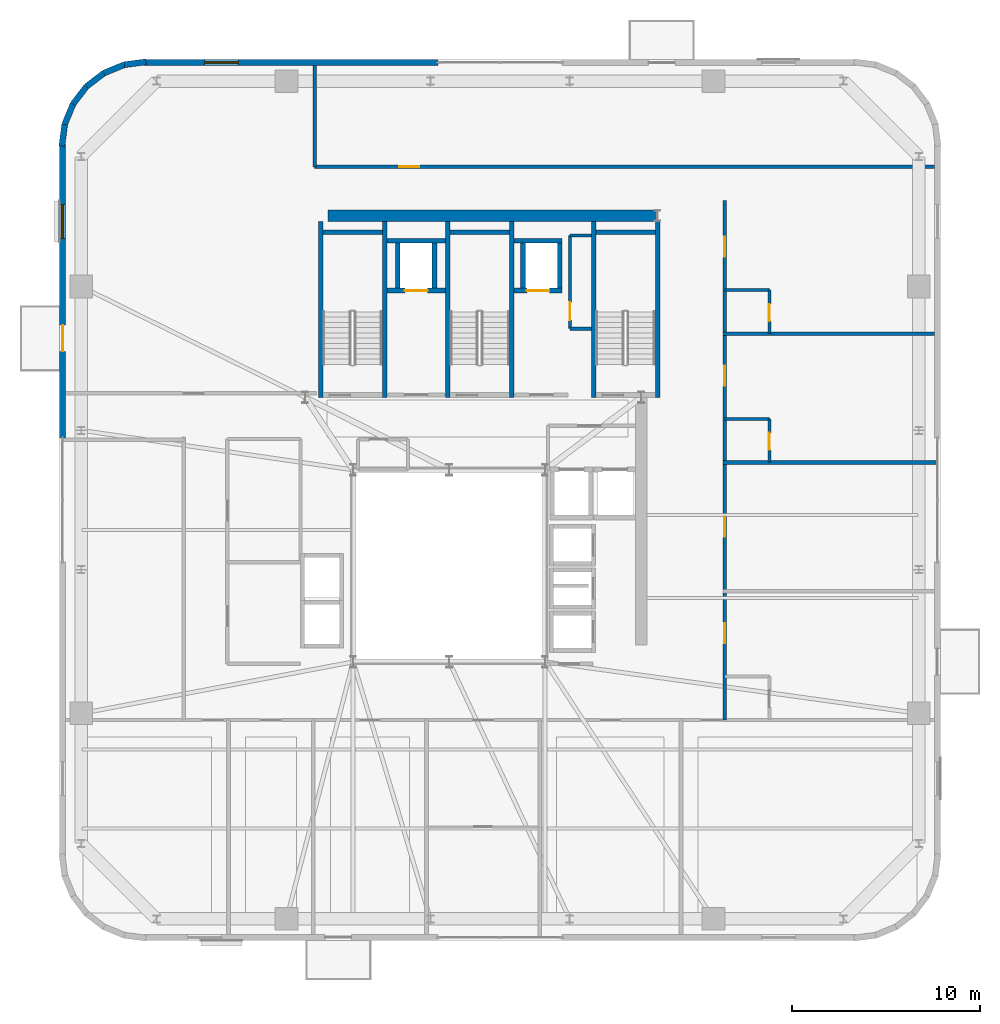
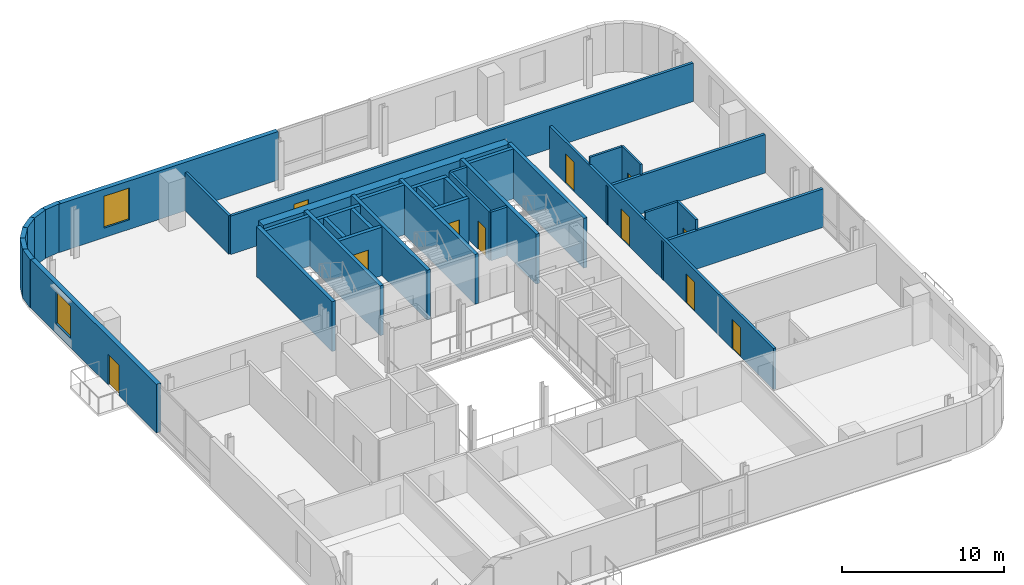
# One storey, part 10 of 15: 38 walls, 11 doors, 2 windows, 13 openings.
"""IFC4 building model written with IfcOpenShell, lengths in metres."""

import ifcopenshell
import ifcopenshell.guid

model = None  # the IFC model being written
_history = None  # IfcOwnerHistory: only IFC2X3 demands one
_inside = {}  # id of a spatial element -> (the spatial element, [elements in it])
_under = {}  # id of a project, library or spatial element -> (it, [spatial elements below it])
_declared = {}  # id of a project -> (the project, [libraries it declares])
_typed = {}  # id of a type object -> (the type object, [elements of that type])
_made_of = {}  # id of a material, layer set ... -> (it, [elements and type objects made of it])


def new_model(schema):
    """Start an empty IFC model of exactly this schema.

    Asked for "IFC4X3", IfcOpenShell would pick the latest addendum, in which some entities
    have other attributes; the version numbers below select the first issue.
    IFC2X3 requires an IfcOwnerHistory on every rooted entity: one is made here for all.
    """
    global model, _history
    if schema == "IFC4X3":
        model = ifcopenshell.file(schema_version=(4, 3, 0, 0))
    else:
        model = ifcopenshell.file(schema=schema)
    _inside.clear()
    _under.clear()
    _declared.clear()
    _typed.clear()
    _made_of.clear()
    _history = None
    if model.schema == "IFC2X3":
        org = make("IfcOrganization", Name="unknown")
        user = make(
            "IfcPersonAndOrganization",
            ThePerson=make("IfcPerson", FamilyName="unknown"),
            TheOrganization=org,
        )
        app = make(
            "IfcApplication",
            ApplicationDeveloper=org,
            Version="unknown",
            ApplicationFullName="unknown",
            ApplicationIdentifier="unknown",
        )
        _history = make(
            "IfcOwnerHistory",
            OwningUser=user,
            OwningApplication=app,
            ChangeAction="ADDED",
            CreationDate=0,
        )
    return model


def make(cls, **values):
    """One entity of the class cls with the attributes given. An attribute that is None is left unset."""
    return model.create_entity(
        cls, **{name: value for name, value in values.items() if value is not None}
    )


def rooted(cls, **values):
    """An entity with a GlobalId (a new one), such as an element, a storey or a relation."""
    return make(cls, GlobalId=ifcopenshell.guid.new(), OwnerHistory=_history, **values)


def si_unit(unit_type, name, prefix=None):
    """IfcSIUnit, for example si_unit("LENGTHUNIT", "METRE", prefix="MILLI")."""
    return make("IfcSIUnit", UnitType=unit_type, Prefix=prefix, Name=name)


def assignment(units):
    """IfcUnitAssignment: the units of a project."""
    return None if units is None else make("IfcUnitAssignment", Units=units)


def point(xyz):
    """IfcCartesianPoint."""
    return None if xyz is None else make("IfcCartesianPoint", Coordinates=xyz)


def direction(xyz):
    """IfcDirection."""
    return None if xyz is None else make("IfcDirection", DirectionRatios=xyz)


def frame(location, z_axis=None, x_axis=None):
    """IfcAxis2Placement3D, a coordinate frame: its origin and axes. An axis left out is left unset."""
    return make(
        "IfcAxis2Placement3D",
        Location=point(location),
        Axis=direction(z_axis),
        RefDirection=direction(x_axis),
    )


def frame_2d(location, x_axis=None):
    """IfcAxis2Placement2D, a coordinate frame in the plane: its origin and x axis."""
    return make(
        "IfcAxis2Placement2D", Location=point(location), RefDirection=direction(x_axis)
    )


def origin():
    """The frame at (0, 0, 0) with its axes left unset."""
    return frame((0.0, 0.0, 0.0))


def place(relative_to, where):
    """IfcLocalPlacement: puts the frame where relative to a parent placement (None: the world)."""
    return make(
        "IfcLocalPlacement", PlacementRelTo=relative_to, RelativePlacement=where
    )


def context(
    kind, dimensions, precision=None, world=None, true_north=None, identifier=None
):
    """IfcGeometricRepresentationContext, for example the 3D "Model" context."""
    return make(
        "IfcGeometricRepresentationContext",
        ContextIdentifier=identifier,
        ContextType=kind,
        CoordinateSpaceDimension=dimensions,
        Precision=precision,
        WorldCoordinateSystem=world,
        TrueNorth=true_north,
    )


def subcontext(parent, identifier, kind, view, scale=None):
    """IfcGeometricRepresentationSubContext, for example "Body" below "Model"."""
    return make(
        "IfcGeometricRepresentationSubContext",
        ContextIdentifier=identifier,
        ContextType=kind,
        ParentContext=parent,
        TargetScale=scale,
        TargetView=view,
    )


def project(units=None, contexts=None):
    """IfcProject with its units and contexts."""
    return rooted(
        "IfcProject",
        Name="project",
        RepresentationContexts=contexts,
        UnitsInContext=assignment(units),
    )


def spatial(cls, under=None, at=None, **own):
    """A site, building, storey or space (cls), placed at a placement, below another one or the project."""
    s = rooted(cls, ObjectPlacement=at, **own)
    if under is not None:
        _under.setdefault(under.id(), (under, []))[1].append(s)
    return s


def profile(cls, at=None, kind="AREA", **sizes):
    """A parametric profile (cls). Its sizes go by their IFC names, for example OverallWidth=200.0."""
    return make(cls, ProfileType=kind, Position=at, **sizes)


def rectangle(**sizes):
    """IfcRectangleProfileDef."""
    return profile("IfcRectangleProfileDef", **sizes)


def extrude(swept, where, along, depth):
    """IfcExtrudedAreaSolid: the profile swept, set in the frame where, extruded along a direction by depth."""
    return make(
        "IfcExtrudedAreaSolid",
        SweptArea=swept,
        Position=where,
        ExtrudedDirection=direction(along),
        Depth=depth,
    )


def shape(context_of_items, identifier, shape_type, items):
    """IfcShapeRepresentation: the items that make up one representation, for example the "Body"."""
    return make(
        "IfcShapeRepresentation",
        ContextOfItems=context_of_items,
        RepresentationIdentifier=identifier,
        RepresentationType=shape_type,
        Items=items,
    )


def source(mapping_origin, context_of_items, identifier, shape_type, items):
    """IfcRepresentationMap: a shape defined once, which mapped items show again and again."""
    return make(
        "IfcRepresentationMap",
        MappingOrigin=mapping_origin,
        MappedRepresentation=shape(context_of_items, identifier, shape_type, items),
    )


def transform(
    local_origin,
    x_axis=None,
    y_axis=None,
    z_axis=None,
    scale=None,
    scale2=None,
    scale3=None,
    uniform=True,
):
    """IfcCartesianTransformationOperator3D, or its non-uniform kind. x_axis, y_axis, z_axis: its Axis1, 2, 3."""
    if uniform:
        return make(
            "IfcCartesianTransformationOperator3D",
            Axis1=direction(x_axis),
            Axis2=direction(y_axis),
            LocalOrigin=point(local_origin),
            Scale=scale,
            Axis3=direction(z_axis),
        )
    return make(
        "IfcCartesianTransformationOperator3DnonUniform",
        Axis1=direction(x_axis),
        Axis2=direction(y_axis),
        LocalOrigin=point(local_origin),
        Scale=scale,
        Axis3=direction(z_axis),
        Scale2=scale2,
        Scale3=scale3,
    )


def mapped(mapping_source, mapping_target):
    """IfcMappedItem: shows the shape of a source again, moved by a transform."""
    return make(
        "IfcMappedItem", MappingSource=mapping_source, MappingTarget=mapping_target
    )


def material(Name=None, Category=None):
    """IfcMaterial."""
    return make("IfcMaterial", Name=Name, Category=Category)


def layer(
    of_material, thickness, ventilated=None, Name=None, Category=None, Priority=None
):
    """IfcMaterialLayer: one layer of a wall or slab, of a material (None: an air gap)."""
    return make(
        "IfcMaterialLayer",
        Material=of_material,
        LayerThickness=thickness,
        IsVentilated=ventilated,
        Name=Name,
        Category=Category,
        Priority=Priority,
    )


def layer_set(layers, Name=None):
    """IfcMaterialLayerSet."""
    return make("IfcMaterialLayerSet", MaterialLayers=layers, LayerSetName=Name)


def made_of(thing, what):
    """Note that an element or type object is made of a material, layer set ...; save() writes the relation."""
    if what is not None:
        _made_of.setdefault(what.id(), (what, []))[1].append(thing)
    return thing


def type_object(cls, material=None, **own):
    """A type object (cls), such as IfcWallType, which elements share."""
    return made_of(rooted(cls, **own), material)


def element(
    cls,
    number,
    at=None,
    inside=None,
    cuts=None,
    type_object=None,
    material=None,
    context=None,
    identifier="Body",
    shape_type=None,
    held_by="IfcProductDefinitionShape",
    body=None,
    shapes=None,
    **own,
):
    """One element of the class cls, such as IfcWall. Its Tag is "e" and its number.

    at: its placement. inside: the storey or other place that contains it. cuts: it is an
    opening in that element (IfcRelVoidsElement). A single representation is given by context,
    identifier, shape_type and body (its items); several are given by shapes. held_by: the class
    of the entity that holds the representations. save() writes the other relations.
    """
    e = rooted(cls, Tag="e%d" % number, ObjectPlacement=at, **own)
    if body is not None:
        shapes = [shape(context, identifier, shape_type, body)]
    if shapes is not None:
        e.Representation = make(held_by, Representations=shapes)
    if inside is not None:
        _inside.setdefault(inside.id(), (inside, []))[1].append(e)
    if cuts is not None:
        rooted(
            "IfcRelVoidsElement", RelatingBuildingElement=cuts, RelatedOpeningElement=e
        )
    if type_object is not None:
        _typed.setdefault(type_object.id(), (type_object, []))[1].append(e)
    return made_of(e, material)


def fill(opening, filler):
    """IfcRelFillsElement: the door or window that sits in an opening."""
    return rooted(
        "IfcRelFillsElement",
        RelatingOpeningElement=opening,
        RelatedBuildingElement=filler,
    )


def aggregate(whole, parts):
    """IfcRelAggregates: a whole, such as a stair, and the parts it consists of."""
    return rooted("IfcRelAggregates", RelatingObject=whole, RelatedObjects=parts)


def save(model, path):
    """Write the relations noted so far, then the file.

    IfcRelAggregates (storeys below a building ...), IfcRelContainedInSpatialStructure (elements
    in a storey), IfcRelDefinesByType, IfcRelAssociatesMaterial and IfcRelDeclares: one each for
    every whole, place, type object, material and project.
    """
    for whole, parts in _under.values():
        aggregate(whole, parts)
    for where, things in _inside.values():
        rooted(
            "IfcRelContainedInSpatialStructure",
            RelatedElements=things,
            RelatingStructure=where,
        )
    for kind, things in _typed.values():
        rooted("IfcRelDefinesByType", RelatedObjects=things, RelatingType=kind)
    for what, things in _made_of.values():
        rooted("IfcRelAssociatesMaterial", RelatedObjects=things, RelatingMaterial=what)
    for by, libraries in _declared.values():
        rooted("IfcRelDeclares", RelatingContext=by, RelatedDefinitions=libraries)
    model.write(path)


model = new_model("IFC4")

# Units and contexts
model_context = context("Model", 3, precision=1e-05, world=origin(), true_north=direction((0.0, 1.0)))
body_context = subcontext(model_context, "Body", "Model", "MODEL_VIEW")
ifc_project = project(units=[si_unit("LENGTHUNIT", "METRE"), si_unit("AREAUNIT", "SQUARE_METRE"), si_unit("VOLUMEUNIT", "CUBIC_METRE"), si_unit("PLANEANGLEUNIT", "RADIAN"), si_unit("MASSUNIT", "GRAM", prefix="KILO")], contexts=[model_context])

# Site, building, storey
site_placement = place(None, origin())
site = spatial("IfcSite", under=ifc_project, at=site_placement, CompositionType="ELEMENT")
building_placement = place(site_placement, origin())
building = spatial("IfcBuilding", under=site, at=building_placement, Name="Vardaveli Station Tower", CompositionType="ELEMENT")
storey_placement = place(building_placement, frame((0.0, 0.0, 250.60009765625)))
storey = spatial("IfcBuildingStorey", under=building, at=storey_placement, Name="L64", CompositionType="ELEMENT", Elevation=250.60009765625)

# Wall
ifc_material_1 = material(Name="Concrete C50/60", Category="concrete")
ifc_layer_1 = layer(ifc_material_1, 0.60009765625, Name="Concrete C50/60")
ifc_layer_set_1 = layer_set([ifc_layer_1], Name="Concrete C50/60")
wall_type_1 = type_object("IfcWallType", Name="WAL-CORE-600", PredefinedType="SHEAR", material=ifc_layer_set_1)
shared_shape_1 = source(origin(), body_context, "Body", "SweptSolid", [
    extrude(rectangle(XDim=17.52001953125, YDim=0.60009765625, at=frame_2d((8.760009765625, 0.0))), origin(), (0.0, 0.0, 1.0), 3.64990234375),
])
wall_1_placement = place(storey_placement, frame((29.85009765625, 40.300048828125, 0.0), z_axis=(0.0, 0.0, 1.0), x_axis=(1.0, 0.0, 0.0)))
element("IfcWall", 1, at=wall_1_placement, inside=storey, type_object=wall_type_1, Name="SW-L64-NORTH", PredefinedType="SHEAR", context=body_context, shape_type="MappedRepresentation", body=[
    mapped(shared_shape_1, transform((0.0, 0.0, 0.0), scale=1.0)),
])

# Wall, opening, window
ifc_material_2 = material(Name="Precast concrete C45/55", Category="concrete")
ifc_layer_2 = layer(ifc_material_2, 0.320068359375, Name="Precast concrete C45/55")
ifc_layer_set_2 = layer_set([ifc_layer_2], Name="Precast concrete C45/55")
wall_type_2 = type_object("IfcWallType", Name="WAL-EXT-STONE-320", PredefinedType="SOLIDWALL", material=ifc_layer_set_2)
shared_shape_2 = source(origin(), body_context, "Body", "SweptSolid", [
    extrude(rectangle(XDim=15.599853515625, YDim=0.320068359375, at=frame_2d((7.7998046875, 0.0))), origin(), (0.0, 0.0, 1.0), 3.64990234375),
])
wall_2_placement = place(storey_placement, frame((35.699951171875, 48.43994140625, 0.0), z_axis=(0.0, 0.0, 1.0), x_axis=(-1.0, 0.0, 0.0)))
wall_2 = element("IfcWall", 2, at=wall_2_placement, inside=storey, type_object=wall_type_2, Name="EW-L64-N2", PredefinedType="SOLIDWALL", context=body_context, shape_type="MappedRepresentation", body=[
    mapped(shared_shape_2, transform((0.0, 0.0, 0.0), scale=1.0)),
])
shared_shape_3 = source(origin(), body_context, "Body", "SweptSolid", [
    extrude(rectangle(XDim=1.800048828125, YDim=2.39990234375, at=frame_2d((0.89990234375, 1.199951171875))), frame((0.0, 0.169921875, 0.0), z_axis=(0.0, -1.0, 0.0), x_axis=(1.0, 0.0, 0.0)), (0.0, 0.0, 1.0), 0.340087890625),
])
opening_1_placement = place(wall_2_placement, frame((10.594970703125, 0.0, 0.719970703125)))
opening_1 = element("IfcOpeningElement", 3, at=opening_1_placement, cuts=wall_2, Name="Opening W-05", PredefinedType="OPENING", context=body_context, shape_type="MappedRepresentation", body=[
    mapped(shared_shape_3, transform((0.0, 0.0, 0.0), scale=1.0)),
])
ifc_material_3 = material(Name="Low-E solar-control glass", Category="glass")
window_type = type_object("IfcWindowType", Name="WIN-HIGH-1800x2400", PartitioningType="SINGLE_PANEL", PredefinedType="WINDOW", material=ifc_material_3)
shared_shape_4 = source(origin(), body_context, "Body", "SweptSolid", [
    extrude(rectangle(XDim=1.800048828125, YDim=2.39990234375, at=frame_2d((0.89990234375, 1.199951171875))), frame((0.0, 0.030029296875, 0.0), z_axis=(0.0, -1.0, 0.0), x_axis=(1.0, 0.0, 0.0)), (0.0, 0.0, 1.0), 0.06005859375),
])
window_1_placement = place(opening_1_placement, origin())
window_1 = element("IfcWindow", 4, at=window_1_placement, inside=storey, type_object=window_type, Name="WN-L64-N2", OverallHeight=2.39990234375, OverallWidth=1.800048828125, PartitioningType="SINGLE_PANEL", PredefinedType="WINDOW", context=body_context, shape_type="MappedRepresentation", body=[
    mapped(shared_shape_4, transform((0.0, 0.0, 0.0), scale=1.0)),
])
fill(opening_1, window_1)

# Wall, openings, door, window
shared_shape_5 = source(origin(), body_context, "Body", "SweptSolid", [
    extrude(rectangle(XDim=15.60009765625, YDim=0.320068359375, at=frame_2d((7.800048828125, 0.0))), origin(), (0.0, 0.0, 1.0), 3.64990234375),
])
wall_3_placement = place(storey_placement, frame((15.760009765625, 44.10009765625, 0.0), z_axis=(0.0, 0.0, 1.0), x_axis=(0.0, -1.0, 0.0)))
wall_3 = element("IfcWall", 5, at=wall_3_placement, inside=storey, type_object=wall_type_2, Name="EW-L64-W1", PredefinedType="SOLIDWALL", context=body_context, shape_type="MappedRepresentation", body=[
    mapped(shared_shape_5, transform((0.0, 0.0, 0.0), scale=1.0)),
])
shared_shape_6 = source(origin(), body_context, "Body", "SweptSolid", [
    extrude(rectangle(XDim=1.39990234375, YDim=2.300048828125, at=frame_2d((0.699951171875, 1.14990234375))), frame((0.0, 0.169921875, 0.0), z_axis=(0.0, -1.0, 0.0), x_axis=(1.0, 0.0, 0.0)), (0.0, 0.0, 1.0), 0.340087890625),
])
opening_2_placement = place(wall_3_placement, frame((9.6103515625, 0.0, 0.0)))
opening_2 = element("IfcOpeningElement", 6, at=opening_2_placement, cuts=wall_3, Name="Opening D-09", PredefinedType="OPENING", context=body_context, shape_type="MappedRepresentation", body=[
    mapped(shared_shape_6, transform((0.0, 0.0, 0.0), scale=1.0)),
])
opening_3_placement = place(wall_3_placement, frame((3.205078125, 0.0, 0.719970703125)))
opening_3 = element("IfcOpeningElement", 7, at=opening_3_placement, cuts=wall_3, Name="Opening W-05", PredefinedType="OPENING", context=body_context, shape_type="MappedRepresentation", body=[
    mapped(shared_shape_3, transform((0.0, 0.0, 0.0), scale=1.0)),
])
ifc_material_4 = material(Name="Thermally broken aluminium glass", Category="aluminium")
door_type_1 = type_object("IfcDoorType", Name="DR-LOG-1400x2300", OperationType="DOUBLE_DOOR_SLIDING", PredefinedType="DOOR", material=ifc_material_4)
shared_shape_7 = source(origin(), body_context, "Body", "SweptSolid", [
    extrude(rectangle(XDim=1.39990234375, YDim=2.300048828125, at=frame_2d((0.699951171875, 1.14990234375))), frame((0.0, 0.02490234375, 0.0), z_axis=(0.0, -1.0, 0.0), x_axis=(1.0, 0.0, 0.0)), (0.0, 0.0, 1.0), 0.050048828125),
])
door_1_placement = place(opening_2_placement, frame((1.39990234375, 0.0, 0.0), z_axis=(0.0, 0.0, 1.0), x_axis=(-1.0, 0.0, 0.0)))
door_1 = element("IfcDoor", 8, at=door_1_placement, inside=storey, type_object=door_type_1, Name="DLG-L64-W", OperationType="DOUBLE_DOOR_SLIDING", OverallHeight=2.300048828125, OverallWidth=1.39990234375, PredefinedType="DOOR", context=body_context, shape_type="MappedRepresentation", body=[
    mapped(shared_shape_7, transform((0.0, 0.0, 0.0), scale=1.0)),
])
fill(opening_2, door_1)
window_2_placement = place(opening_3_placement, origin())
window_2 = element("IfcWindow", 9, at=window_2_placement, inside=storey, type_object=window_type, Name="WN-L64-W1", OverallHeight=2.39990234375, OverallWidth=1.800048828125, PartitioningType="SINGLE_PANEL", PredefinedType="WINDOW", context=body_context, shape_type="MappedRepresentation", body=[
    mapped(shared_shape_4, transform((0.0, 0.0, 0.0), scale=1.0)),
])
fill(opening_3, window_2)

# Walls
shared_shape_8 = source(origin(), body_context, "Body", "SweptSolid", [
    extrude(rectangle(XDim=1.1689453125, YDim=0.320068359375, at=frame_2d((0.58447265625, 0.0))), origin(), (0.0, 0.0, 1.0), 3.64990234375),
])
wall_4_placement = place(storey_placement, frame((17.03125, 47.1689453125, 0.0), z_axis=(0.0, 0.0, 1.0), x_axis=(-0.608387696831, -0.793639975269, 0.0)))
element("IfcWall", 10, at=wall_4_placement, inside=storey, type_object=wall_type_2, Name="EW-L64-CR4-4", PredefinedType="SOLIDWALL", context=body_context, shape_type="MappedRepresentation", body=[
    mapped(shared_shape_8, transform((0.0, 0.0, 0.0), scale=1.0)),
])
shared_shape_9 = source(origin(), body_context, "Body", "SweptSolid", [
    extrude(rectangle(XDim=1.168701171875, YDim=0.320068359375, at=frame_2d((0.58447265625, 0.0))), origin(), (0.0, 0.0, 1.0), 3.64990234375),
])
wall_5_placement = place(storey_placement, frame((17.958740234375, 47.8798828125, 0.0), z_axis=(0.0, 0.0, 1.0), x_axis=(-0.793663520347, -0.608356981114, 0.0)))
element("IfcWall", 11, at=wall_5_placement, inside=storey, type_object=wall_type_2, Name="EW-L64-CR4-3", PredefinedType="SOLIDWALL", context=body_context, shape_type="MappedRepresentation", body=[
    mapped(shared_shape_9, transform((0.0, 0.0, 0.0), scale=1.0)),
])
shared_shape_10 = source(origin(), body_context, "Body", "SweptSolid", [
    extrude(rectangle(XDim=1.17041015625, YDim=0.320068359375, at=frame_2d((0.585205078125, 0.0))), origin(), (0.0, 0.0, 1.0), 3.64990234375),
])
for number, where, z_axis, x_axis, name in (
    (12, (20.200439453125, 48.4755859375, 0.0), (0.0, 0.0, 1.0), (-0.991735963317, -0.128295670475, 0.0), "EW-L64-CR4-1"),
    (13, (15.87451171875, 45.16015625, 0.0), (0.0, 0.0, 1.0), (-0.128295670475, -0.991735963317, 0.0), "EW-L64-CR4-6"),
):
    element("IfcWall", number, at=place(storey_placement, frame(where, z_axis=z_axis, x_axis=x_axis)), inside=storey, type_object=wall_type_2, Name=name, PredefinedType="SOLIDWALL", context=body_context, shape_type="MappedRepresentation", body=[
        mapped(shared_shape_10, transform((0.0, 0.0, 0.0), scale=1.0)),
    ])
shared_shape_11 = source(origin(), body_context, "Body", "SweptSolid", [
    extrude(rectangle(XDim=1.169189453125, YDim=0.320068359375, at=frame_2d((0.58447265625, 0.0))), origin(), (0.0, 0.0, 1.0), 3.64990234375),
])
for number, where, z_axis, x_axis, name in (
    (14, (19.039794921875, 48.325439453125, 0.0), (0.0, 0.0, 1.0), (-0.924552646638, -0.381054331552, 0.0), "EW-L64-CR4-2"),
    (15, (16.320068359375, 46.2412109375, 0.0), (0.0, 0.0, 1.0), (-0.381054331552, -0.924552646638, 0.0), "EW-L64-CR4-5"),
):
    element("IfcWall", number, at=place(storey_placement, frame(where, z_axis=z_axis, x_axis=x_axis)), inside=storey, type_object=wall_type_2, Name=name, PredefinedType="SOLIDWALL", context=body_context, shape_type="MappedRepresentation", body=[
        mapped(shared_shape_11, transform((0.0, 0.0, 0.0), scale=1.0)),
    ])
ifc_material_5 = material(Name="Concrete C40/50", Category="concrete")
ifc_layer_3 = layer(ifc_material_5, 0.25, Name="Concrete C40/50")
ifc_layer_set_3 = layer_set([ifc_layer_3], Name="Concrete C40/50")
wall_type_3 = type_object("IfcWallType", Name="WAL-SHAFT-250", PredefinedType="SOLIDWALL", material=ifc_layer_set_3)
shared_shape_12 = source(origin(), body_context, "Body", "SweptSolid", [
    extrude(rectangle(XDim=9.35009765625, YDim=0.25, at=frame_2d((4.675048828125, 0.0))), origin(), (0.0, 0.0, 1.0), 3.75),
])
for number, where, z_axis, x_axis, name in (
    (16, (29.47509765625, 30.64990234375, 0.0), (0.0, 0.0, 1.0), (0.0, 1.0, 0.0), "W-L64-ST-1W"),
    (17, (32.875, 30.64990234375, 0.0), (0.0, 0.0, 1.0), (0.0, 1.0, 0.0), "W-L64-ST-1E"),
    (18, (36.22509765625, 30.64990234375, 0.0), (0.0, 0.0, 1.0), (0.0, 1.0, 0.0), "W-L64-ST-2W"),
    (19, (39.625, 30.64990234375, 0.0), (0.0, 0.0, 1.0), (0.0, 1.0, 0.0), "W-L64-ST-2E"),
    (20, (43.97509765625, 30.64990234375, 0.0), (0.0, 0.0, 1.0), (0.0, 1.0, 0.0), "W-L64-ST-3W"),
    (21, (47.375, 30.64990234375, 0.0), (0.0, 0.0, 1.0), (0.0, 1.0, 0.0), "W-L64-ST-3E"),
):
    element("IfcWall", number, at=place(storey_placement, frame(where, z_axis=z_axis, x_axis=x_axis)), inside=storey, type_object=wall_type_3, Name=name, PredefinedType="SOLIDWALL", context=body_context, shape_type="MappedRepresentation", body=[
        mapped(shared_shape_12, transform((0.0, 0.0, 0.0), scale=1.0)),
    ])
shared_shape_13 = source(origin(), body_context, "Body", "SweptSolid", [
    extrude(rectangle(XDim=3.14990234375, YDim=0.25, at=frame_2d((1.574951171875, 0.0))), origin(), (0.0, 0.0, 1.0), 3.75),
])
for number, where, z_axis, x_axis, name in (
    (22, (29.60009765625, 39.425048828125, 0.0), (0.0, 0.0, 1.0), (1.0, 0.0, 0.0), "W-L64-ST-1N"),
    (23, (36.35009765625, 39.425048828125, 0.0), (0.0, 0.0, 1.0), (1.0, 0.0, 0.0), "W-L64-ST-2N"),
    (24, (44.10009765625, 39.425048828125, 0.0), (0.0, 0.0, 1.0), (1.0, 0.0, 0.0), "W-L64-ST-3N"),
):
    element("IfcWall", number, at=place(storey_placement, frame(where, z_axis=z_axis, x_axis=x_axis)), inside=storey, type_object=wall_type_3, Name=name, PredefinedType="SOLIDWALL", context=body_context, shape_type="MappedRepresentation", body=[
        mapped(shared_shape_13, transform((0.0, 0.0, 0.0), scale=1.0)),
    ])

# Wall, opening, door
shared_shape_14 = source(origin(), body_context, "Body", "SweptSolid", [
    extrude(rectangle(XDim=3.10009765625, YDim=0.25, at=frame_2d((1.550048828125, 0.0))), origin(), (0.0, 0.0, 1.0), 3.64990234375),
])
wall_6_placement = place(storey_placement, frame((33.0, 36.324951171875, 0.0), z_axis=(0.0, 0.0, 1.0), x_axis=(1.0, 0.0, 0.0)))
wall_6 = element("IfcWall", 25, at=wall_6_placement, inside=storey, type_object=wall_type_3, Name="SHW-FFL-01-L64-S", PredefinedType="SOLIDWALL", context=body_context, shape_type="MappedRepresentation", body=[
    mapped(shared_shape_14, transform((0.0, 0.0, 0.0), scale=1.0)),
])
shared_shape_15 = source(origin(), body_context, "Body", "SweptSolid", [
    extrude(rectangle(XDim=1.199951171875, YDim=2.25, at=frame_2d((0.60009765625, 1.125))), frame((0.0, 0.135009765625, 0.0), z_axis=(0.0, -1.0, 0.0), x_axis=(1.0, 0.0, 0.0)), (0.0, 0.0, 1.0), 0.27001953125),
])
opening_4_placement = place(wall_6_placement, frame((0.949951171875, 0.0, 0.0)))
opening_4 = element("IfcOpeningElement", 26, at=opening_4_placement, cuts=wall_6, Name="Opening LD-02", PredefinedType="OPENING", context=body_context, shape_type="MappedRepresentation", body=[
    mapped(shared_shape_15, transform((0.0, 0.0, 0.0), scale=1.0)),
])
ifc_material_6 = material(Name="Brushed stainless steel", Category="steel")
door_type_2 = type_object("IfcDoorType", Name="DR-LD-1200x2250", OperationType="DOUBLE_DOOR_SLIDING", PredefinedType="DOOR", material=ifc_material_6)
shared_shape_16 = source(origin(), body_context, "Body", "SweptSolid", [
    extrude(rectangle(XDim=1.199951171875, YDim=2.25, at=frame_2d((0.60009765625, 1.125))), frame((0.0, 0.02490234375, 0.0), z_axis=(0.0, -1.0, 0.0), x_axis=(1.0, 0.0, 0.0)), (0.0, 0.0, 1.0), 0.050048828125),
])
door_2_placement = place(opening_4_placement, origin())
door_2 = element("IfcDoor", 27, at=door_2_placement, inside=storey, type_object=door_type_2, Name="LD-FFL-01-L64", OperationType="DOUBLE_DOOR_SLIDING", OverallHeight=2.25, OverallWidth=1.199951171875, PredefinedType="DOOR", context=body_context, shape_type="MappedRepresentation", body=[
    mapped(shared_shape_16, transform((0.0, 0.0, 0.0), scale=1.0)),
])
fill(opening_4, door_2)

# Walls
wall_7_placement = place(storey_placement, frame((33.0, 38.97509765625, 0.0), z_axis=(0.0, 0.0, 1.0), x_axis=(1.0, 0.0, 0.0)))
element("IfcWall", 28, at=wall_7_placement, inside=storey, type_object=wall_type_3, Name="SHW-FFL-01-L64-N", PredefinedType="SOLIDWALL", context=body_context, shape_type="MappedRepresentation", body=[
    mapped(shared_shape_14, transform((0.0, 0.0, 0.0), scale=1.0)),
])
shared_shape_17 = source(origin(), body_context, "Body", "SweptSolid", [
    extrude(rectangle(XDim=2.400146484375, YDim=0.25, at=frame_2d((1.2001953125, 0.0))), origin(), (0.0, 0.0, 1.0), 3.64990234375),
])
for number, where, z_axis, x_axis, name in (
    (29, (33.574951171875, 36.449951171875, 0.0), (0.0, 0.0, 1.0), (0.0, 1.0, 0.0), "SHW-FFL-01-L64-W"),
    (30, (35.52490234375, 36.449951171875, 0.0), (0.0, 0.0, 1.0), (0.0, 1.0, 0.0), "SHW-FFL-01-L64-E"),
    (31, (40.22509765625, 36.449951171875, 0.0), (0.0, 0.0, 1.0), (0.0, 1.0, 0.0), "SHW-FFL-02-L64-W"),
    (32, (42.175048828125, 36.449951171875, 0.0), (0.0, 0.0, 1.0), (0.0, 1.0, 0.0), "SHW-FFL-02-L64-E"),
):
    element("IfcWall", number, at=place(storey_placement, frame(where, z_axis=z_axis, x_axis=x_axis)), inside=storey, type_object=wall_type_3, Name=name, PredefinedType="SOLIDWALL", context=body_context, shape_type="MappedRepresentation", body=[
        mapped(shared_shape_17, transform((0.0, 0.0, 0.0), scale=1.0)),
    ])

# Wall, opening, door
shared_shape_18 = source(origin(), body_context, "Body", "SweptSolid", [
    extrude(rectangle(XDim=2.550048828125, YDim=0.25, at=frame_2d((1.27490234375, 0.0))), origin(), (0.0, 0.0, 1.0), 3.64990234375),
])
wall_8_placement = place(storey_placement, frame((39.75, 36.324951171875, 0.0), z_axis=(0.0, 0.0, 1.0), x_axis=(1.0, 0.0, 0.0)))
wall_8 = element("IfcWall", 33, at=wall_8_placement, inside=storey, type_object=wall_type_3, Name="SHW-FFL-02-L64-S", PredefinedType="SOLIDWALL", context=body_context, shape_type="MappedRepresentation", body=[
    mapped(shared_shape_18, transform((0.0, 0.0, 0.0), scale=1.0)),
])
opening_5_placement = place(wall_8_placement, frame((0.675048828125, 0.0, 0.0)))
opening_5 = element("IfcOpeningElement", 34, at=opening_5_placement, cuts=wall_8, Name="Opening LD-02", PredefinedType="OPENING", context=body_context, shape_type="MappedRepresentation", body=[
    mapped(shared_shape_15, transform((0.0, 0.0, 0.0), scale=1.0)),
])
door_3_placement = place(opening_5_placement, origin())
door_3 = element("IfcDoor", 35, at=door_3_placement, inside=storey, type_object=door_type_2, Name="LD-FFL-02-L64", OperationType="DOUBLE_DOOR_SLIDING", OverallHeight=2.25, OverallWidth=1.199951171875, PredefinedType="DOOR", context=body_context, shape_type="MappedRepresentation", body=[
    mapped(shared_shape_16, transform((0.0, 0.0, 0.0), scale=1.0)),
])
fill(opening_5, door_3)

# Wall
wall_9_placement = place(storey_placement, frame((39.75, 38.97509765625, 0.0), z_axis=(0.0, 0.0, 1.0), x_axis=(1.0, 0.0, 0.0)))
element("IfcWall", 36, at=wall_9_placement, inside=storey, type_object=wall_type_3, Name="SHW-FFL-02-L64-N", PredefinedType="SOLIDWALL", context=body_context, shape_type="MappedRepresentation", body=[
    mapped(shared_shape_18, transform((0.0, 0.0, 0.0), scale=1.0)),
])

# Wall, opening, door
ifc_material_7 = material(Name="Fire-rated gypsum stud partition")
ifc_layer_4 = layer(ifc_material_7, 0.179931640625, Name="Fire-rated gypsum stud partition")
ifc_layer_set_4 = layer_set([ifc_layer_4], Name="Fire-rated gypsum stud partition")
wall_type_4 = type_object("IfcWallType", Name="WAL-CORR-180", PredefinedType="PARTITIONING", material=ifc_layer_set_4)
shared_shape_19 = source(origin(), body_context, "Body", "SweptSolid", [
    extrude(rectangle(XDim=32.927978515625, YDim=0.179931640625, at=frame_2d((16.4638671875, 0.0))), origin(), (0.0, 0.0, 1.0), 2.891845703125),
])
wall_10_placement = place(storey_placement, frame((29.14990234375, 42.89990234375, 0.0), z_axis=(0.0, 0.0, 1.0), x_axis=(1.0, 0.0, 0.0)))
wall_10 = element("IfcWall", 37, at=wall_10_placement, inside=storey, type_object=wall_type_4, Name="W-L64-NPS", PredefinedType="PARTITIONING", context=body_context, shape_type="MappedRepresentation", body=[
    mapped(shared_shape_19, transform((0.0, 0.0, 0.0), scale=1.0)),
])
shared_shape_20 = source(origin(), body_context, "Body", "SweptSolid", [
    extrude(rectangle(XDim=1.050048828125, YDim=2.199951171875, at=frame_2d((0.52490234375, 1.10009765625))), frame((0.0, 0.10009765625, 0.0), z_axis=(0.0, -1.0, 0.0), x_axis=(1.0, 0.0, 0.0)), (0.0, 0.0, 1.0), 0.199951171875),
])
opening_6_placement = place(wall_10_placement, frame((4.5, 0.0, 0.0)))
opening_6 = element("IfcOpeningElement", 38, at=opening_6_placement, cuts=wall_10, Name="Opening D-05", PredefinedType="OPENING", context=body_context, shape_type="MappedRepresentation", body=[
    mapped(shared_shape_20, transform((0.0, 0.0, 0.0), scale=1.0)),
])
ifc_material_8 = material(Name="Walnut veneer acoustic fire door")
door_type_3 = type_object("IfcDoorType", Name="DR-SUITE-1050x2200", OperationType="NOTDEFINED", PredefinedType="DOOR", material=ifc_material_8)
shared_shape_21 = source(origin(), body_context, "Body", "SweptSolid", [
    extrude(rectangle(XDim=1.050048828125, YDim=2.199951171875, at=frame_2d((0.52490234375, 1.10009765625))), frame((0.0, 0.02490234375, 0.0), z_axis=(0.0, -1.0, 0.0), x_axis=(1.0, 0.0, 0.0)), (0.0, 0.0, 1.0), 0.050048828125),
])
door_4_placement = place(opening_6_placement, origin())
door_4 = element("IfcDoor", 39, at=door_4_placement, inside=storey, type_object=door_type_3, Name="D-L64-NP1", OperationType="SINGLE_SWING_LEFT", OverallHeight=2.199951171875, OverallWidth=1.050048828125, PredefinedType="DOOR", context=body_context, shape_type="MappedRepresentation", body=[
    mapped(shared_shape_21, transform((0.0, 0.0, 0.0), scale=1.0)),
])
fill(opening_6, door_4)

# Wall, openings, doors
shared_shape_22 = source(origin(), body_context, "Body", "SweptSolid", [
    extrude(rectangle(XDim=27.590087890625, YDim=0.179931640625, at=frame_2d((13.794921875, 0.0))), origin(), (0.0, 0.0, 1.0), 3.091796875),
])
wall_11_placement = place(storey_placement, frame((50.949951171875, 13.510009765625, 0.0), z_axis=(0.0, 0.0, 1.0), x_axis=(0.0, 1.0, 0.0)))
wall_11 = element("IfcWall", 40, at=wall_11_placement, inside=storey, type_object=wall_type_4, Name="W-L64-CE", PredefinedType="PARTITIONING", context=body_context, shape_type="MappedRepresentation", body=[
    mapped(shared_shape_22, transform((0.0, 0.0, 0.0), scale=1.0)),
])
opening_7_placement = place(wall_11_placement, frame((4.086181640625, 0.0, 0.0)))
opening_7 = element("IfcOpeningElement", 41, at=opening_7_placement, cuts=wall_11, Name="Opening D-05", PredefinedType="OPENING", context=body_context, shape_type="MappedRepresentation", body=[
    mapped(shared_shape_20, transform((0.0, 0.0, 0.0), scale=1.0)),
])
opening_8_placement = place(wall_11_placement, frame((9.743896484375, 0.0, 0.0)))
opening_8 = element("IfcOpeningElement", 42, at=opening_8_placement, cuts=wall_11, Name="Opening D-05", PredefinedType="OPENING", context=body_context, shape_type="MappedRepresentation", body=[
    mapped(shared_shape_20, transform((0.0, 0.0, 0.0), scale=1.0)),
])
opening_9_placement = place(wall_11_placement, frame((17.771240234375, 0.0, 0.0)))
opening_9 = element("IfcOpeningElement", 43, at=opening_9_placement, cuts=wall_11, Name="Opening D-05", PredefinedType="OPENING", context=body_context, shape_type="MappedRepresentation", body=[
    mapped(shared_shape_20, transform((0.0, 0.0, 0.0), scale=1.0)),
])
opening_10_placement = place(wall_11_placement, frame((24.61376953125, 0.0, 0.0)))
opening_10 = element("IfcOpeningElement", 44, at=opening_10_placement, cuts=wall_11, Name="Opening D-05", PredefinedType="OPENING", context=body_context, shape_type="MappedRepresentation", body=[
    mapped(shared_shape_20, transform((0.0, 0.0, 0.0), scale=1.0)),
])
door_5_placement = place(opening_7_placement, origin())
door_5 = element("IfcDoor", 45, at=door_5_placement, inside=storey, type_object=door_type_3, Name="D-L64-GE1", OperationType="SINGLE_SWING_RIGHT", OverallHeight=2.199951171875, OverallWidth=1.050048828125, PredefinedType="DOOR", context=body_context, shape_type="MappedRepresentation", body=[
    mapped(shared_shape_21, transform((0.0, 0.0, 0.0), scale=1.0)),
])
fill(opening_7, door_5)
door_6_placement = place(opening_8_placement, origin())
door_6 = element("IfcDoor", 46, at=door_6_placement, inside=storey, type_object=door_type_3, Name="D-L64-GE2", OperationType="SINGLE_SWING_LEFT", OverallHeight=2.199951171875, OverallWidth=1.050048828125, PredefinedType="DOOR", context=body_context, shape_type="MappedRepresentation", body=[
    mapped(shared_shape_21, transform((0.0, 0.0, 0.0), scale=1.0)),
])
fill(opening_8, door_6)
door_7_placement = place(opening_9_placement, origin())
door_7 = element("IfcDoor", 47, at=door_7_placement, inside=storey, type_object=door_type_3, Name="D-L64-GE3", OperationType="SINGLE_SWING_RIGHT", OverallHeight=2.199951171875, OverallWidth=1.050048828125, PredefinedType="DOOR", context=body_context, shape_type="MappedRepresentation", body=[
    mapped(shared_shape_21, transform((0.0, 0.0, 0.0), scale=1.0)),
])
fill(opening_9, door_7)
door_8_placement = place(opening_10_placement, origin())
door_8 = element("IfcDoor", 48, at=door_8_placement, inside=storey, type_object=door_type_3, Name="D-L64-GE4", OperationType="SINGLE_SWING_LEFT", OverallHeight=2.199951171875, OverallWidth=1.050048828125, PredefinedType="DOOR", context=body_context, shape_type="MappedRepresentation", body=[
    mapped(shared_shape_21, transform((0.0, 0.0, 0.0), scale=1.0)),
])
fill(opening_10, door_8)

# Wall, opening, door
shared_shape_23 = source(origin(), body_context, "Body", "SweptSolid", [
    extrude(rectangle(XDim=4.949951171875, YDim=0.179931640625, at=frame_2d((2.47509765625, 0.0))), origin(), (0.0, 0.0, 1.0), 3.64990234375),
])
wall_12_placement = place(storey_placement, frame((42.719970703125, 34.300048828125, 0.0), z_axis=(0.0, 0.0, 1.0), x_axis=(0.0, 1.0, 0.0)))
wall_12 = element("IfcWall", 49, at=wall_12_placement, inside=storey, type_object=wall_type_4, Name="W-L64-CBS1-W", PredefinedType="PARTITIONING", context=body_context, shape_type="MappedRepresentation", body=[
    mapped(shared_shape_23, transform((0.0, 0.0, 0.0), scale=1.0)),
])
shared_shape_24 = source(origin(), body_context, "Body", "SweptSolid", [
    extrude(rectangle(XDim=0.949951171875, YDim=2.14990234375, at=frame_2d((0.47509765625, 1.074951171875))), frame((0.0, 0.10009765625, 0.0), z_axis=(0.0, -1.0, 0.0), x_axis=(1.0, 0.0, 0.0)), (0.0, 0.0, 1.0), 0.199951171875),
])
opening_11_placement = place(wall_12_placement, frame((0.449951171875, 0.0, 0.0)))
opening_11 = element("IfcOpeningElement", 50, at=opening_11_placement, cuts=wall_12, Name="Opening D-06", PredefinedType="OPENING", context=body_context, shape_type="MappedRepresentation", body=[
    mapped(shared_shape_24, transform((0.0, 0.0, 0.0), scale=1.0)),
])
ifc_material_9 = material(Name="Oak veneer acoustic fire door")
door_type_4 = type_object("IfcDoorType", Name="DR-GUEST-950x2150", OperationType="NOTDEFINED", PredefinedType="DOOR", material=ifc_material_9)
shared_shape_25 = source(origin(), body_context, "Body", "SweptSolid", [
    extrude(rectangle(XDim=0.949951171875, YDim=2.14990234375, at=frame_2d((0.47509765625, 1.074951171875))), frame((0.0, 0.02490234375, 0.0), z_axis=(0.0, -1.0, 0.0), x_axis=(1.0, 0.0, 0.0)), (0.0, 0.0, 1.0), 0.050048828125),
])
door_9_placement = place(opening_11_placement, origin())
door_9 = element("IfcDoor", 51, at=door_9_placement, inside=storey, type_object=door_type_4, Name="D-L64-HKP", OperationType="SINGLE_SWING_RIGHT", OverallHeight=2.14990234375, OverallWidth=0.949951171875, PredefinedType="DOOR", context=body_context, shape_type="MappedRepresentation", body=[
    mapped(shared_shape_25, transform((0.0, 0.0, 0.0), scale=1.0)),
])
fill(opening_11, door_9)

ifc_material_10 = material(Name="Moisture-resistant stud partition")
ifc_layer_5 = layer(ifc_material_10, 0.14990234375, Name="Moisture-resistant stud partition")
ifc_layer_set_5 = layer_set([ifc_layer_5], Name="Moisture-resistant stud partition")
wall_type_5 = type_object("IfcWallType", Name="WAL-WET-150", PredefinedType="PARTITIONING", material=ifc_layer_set_5)
shared_shape_26 = source(origin(), body_context, "Body", "SweptSolid", [
    extrude(rectangle(XDim=2.289794921875, YDim=0.14990234375, at=frame_2d((1.14501953125, 0.0))), origin(), (0.0, 0.0, 1.0), 3.64990234375),
])
wall_13_placement = place(storey_placement, frame((53.31005859375, 27.215087890625, 0.0), z_axis=(0.0, 0.0, 1.0), x_axis=(0.0, 1.0, 0.0)))
wall_13 = element("IfcWall", 52, at=wall_13_placement, inside=storey, type_object=wall_type_5, Name="W-L64-BE3-E", PredefinedType="PARTITIONING", context=body_context, shape_type="MappedRepresentation", body=[
    mapped(shared_shape_26, transform((0.0, 0.0, 0.0), scale=1.0)),
])
shared_shape_27 = source(origin(), body_context, "Body", "SweptSolid", [
    extrude(rectangle(XDim=0.89990234375, YDim=2.10009765625, at=frame_2d((0.449951171875, 1.050048828125))), frame((0.0, 0.0849609375, 0.0), z_axis=(0.0, -1.0, 0.0), x_axis=(1.0, 0.0, 0.0)), (0.0, 0.0, 1.0), 0.169921875),
])
opening_12_placement = place(wall_13_placement, frame((0.64990234375, 0.0, 0.0)))
opening_12 = element("IfcOpeningElement", 53, at=opening_12_placement, cuts=wall_13, Name="Opening D-08", PredefinedType="OPENING", context=body_context, shape_type="MappedRepresentation", body=[
    mapped(shared_shape_27, transform((0.0, 0.0, 0.0), scale=1.0)),
])
ifc_material_11 = material(Name="Moisture-resistant oak door")
door_type_5 = type_object("IfcDoorType", Name="DR-BATH-900x2100", OperationType="NOTDEFINED", PredefinedType="DOOR", material=ifc_material_11)
shared_shape_28 = source(origin(), body_context, "Body", "SweptSolid", [
    extrude(rectangle(XDim=0.89990234375, YDim=2.10009765625, at=frame_2d((0.449951171875, 1.050048828125))), frame((0.0, 0.02490234375, 0.0), z_axis=(0.0, -1.0, 0.0), x_axis=(1.0, 0.0, 0.0)), (0.0, 0.0, 1.0), 0.050048828125),
])
door_10_placement = place(opening_12_placement, origin())
door_10 = element("IfcDoor", 54, at=door_10_placement, inside=storey, type_object=door_type_5, Name="D-L64-BE3", OperationType="SINGLE_SWING_LEFT", OverallHeight=2.10009765625, OverallWidth=0.89990234375, PredefinedType="DOOR", context=body_context, shape_type="MappedRepresentation", body=[
    mapped(shared_shape_28, transform((0.0, 0.0, 0.0), scale=1.0)),
])
fill(opening_12, door_10)

wall_14_placement = place(storey_placement, frame((53.31005859375, 34.05810546875, 0.0), z_axis=(0.0, 0.0, 1.0), x_axis=(0.0, 1.0, 0.0)))
wall_14 = element("IfcWall", 55, at=wall_14_placement, inside=storey, type_object=wall_type_5, Name="W-L64-BE4-E", PredefinedType="PARTITIONING", context=body_context, shape_type="MappedRepresentation", body=[
    mapped(shared_shape_26, transform((0.0, 0.0, 0.0), scale=1.0)),
])
opening_13_placement = place(wall_14_placement, frame((0.64990234375, 0.0, 0.0)))
opening_13 = element("IfcOpeningElement", 56, at=opening_13_placement, cuts=wall_14, Name="Opening D-08", PredefinedType="OPENING", context=body_context, shape_type="MappedRepresentation", body=[
    mapped(shared_shape_27, transform((0.0, 0.0, 0.0), scale=1.0)),
])
door_11_placement = place(opening_13_placement, origin())
door_11 = element("IfcDoor", 57, at=door_11_placement, inside=storey, type_object=door_type_5, Name="D-L64-BE4", OperationType="SINGLE_SWING_RIGHT", OverallHeight=2.10009765625, OverallWidth=0.89990234375, PredefinedType="DOOR", context=body_context, shape_type="MappedRepresentation", body=[
    mapped(shared_shape_28, transform((0.0, 0.0, 0.0), scale=1.0)),
])
fill(opening_13, door_11)

# Walls
ifc_material_12 = material(Name="Acoustic twin-stud gypsum partition")
ifc_layer_6 = layer(ifc_material_12, 0.199951171875, Name="Acoustic twin-stud gypsum partition")
ifc_layer_set_6 = layer_set([ifc_layer_6], Name="Acoustic twin-stud gypsum partition")
wall_type_6 = type_object("IfcWallType", Name="WAL-PARTY-200", PredefinedType="PARTITIONING", material=ifc_layer_set_6)
shared_shape_29 = source(origin(), body_context, "Body", "SweptSolid", [
    extrude(rectangle(XDim=11.227783203125, YDim=0.199951171875, at=frame_2d((5.61376953125, 0.0))), origin(), (0.0, 0.0, 1.0), 2.891845703125),
])
wall_15_placement = place(storey_placement, frame((50.85009765625, 34.0380859375, 0.0), z_axis=(0.0, 0.0, 1.0), x_axis=(1.0, 0.0, 0.0)))
element("IfcWall", 58, at=wall_15_placement, inside=storey, type_object=wall_type_6, Name="W-L64-PE3", PredefinedType="PARTITIONING", context=body_context, shape_type="MappedRepresentation", body=[
    mapped(shared_shape_29, transform((0.0, 0.0, 0.0), scale=1.0)),
])
shared_shape_30 = source(origin(), body_context, "Body", "SweptSolid", [
    extrude(rectangle(XDim=11.419921875, YDim=0.199951171875, at=frame_2d((5.7099609375, 0.0))), origin(), (0.0, 0.0, 1.0), 2.891845703125),
])
wall_16_placement = place(storey_placement, frame((50.85009765625, 27.195068359375, 0.0), z_axis=(0.0, 0.0, 1.0), x_axis=(1.0, 0.0, 0.0)))
element("IfcWall", 59, at=wall_16_placement, inside=storey, type_object=wall_type_6, Name="W-L64-PE2", PredefinedType="PARTITIONING", context=body_context, shape_type="MappedRepresentation", body=[
    mapped(shared_shape_30, transform((0.0, 0.0, 0.0), scale=1.0)),
])
shared_shape_31 = source(origin(), body_context, "Body", "SweptSolid", [
    extrude(rectangle(XDim=5.378173828125, YDim=0.179931640625, at=frame_2d((2.68896484375, 0.0))), origin(), (0.0, 0.0, 1.0), 2.891845703125),
])
wall_17_placement = place(storey_placement, frame((29.14990234375, 42.89990234375, 0.0), z_axis=(0.0, 0.0, 1.0), x_axis=(0.0, 1.0, 0.0)))
element("IfcWall", 60, at=wall_17_placement, inside=storey, type_object=wall_type_4, Name="W-L64-NPW", PredefinedType="PARTITIONING", context=body_context, shape_type="MappedRepresentation", body=[
    mapped(shared_shape_31, transform((0.0, 0.0, 0.0), scale=1.0)),
])
shared_shape_32 = source(origin(), body_context, "Body", "SweptSolid", [
    extrude(rectangle(XDim=2.360107421875, YDim=0.14990234375, at=frame_2d((1.18017578125, 0.0))), origin(), (0.0, 0.0, 1.0), 3.64990234375),
])
for number, where, z_axis, x_axis, name in (
    (61, (50.949951171875, 29.5048828125, 0.0), (0.0, 0.0, 1.0), (1.0, 0.0, 0.0), "W-L64-BE3-N"),
    (62, (50.949951171875, 36.347900390625, 0.0), (0.0, 0.0, 1.0), (1.0, 0.0, 0.0), "W-L64-BE4-N"),
):
    element("IfcWall", number, at=place(storey_placement, frame(where, z_axis=z_axis, x_axis=x_axis)), inside=storey, type_object=wall_type_5, Name=name, PredefinedType="PARTITIONING", context=body_context, shape_type="MappedRepresentation", body=[
        mapped(shared_shape_32, transform((0.0, 0.0, 0.0), scale=1.0)),
    ])
shared_shape_33 = source(origin(), body_context, "Body", "SweptSolid", [
    extrude(rectangle(XDim=1.1279296875, YDim=0.179931640625, at=frame_2d((0.56396484375, 0.0))), origin(), (0.0, 0.0, 1.0), 3.64990234375),
])
for number, where, z_axis, x_axis, name in (
    (63, (42.719970703125, 34.300048828125, 0.0), (0.0, 0.0, 1.0), (1.0, 0.0, 0.0), "W-L64-CBS1-S"),
    (64, (42.719970703125, 39.25, 0.0), (0.0, 0.0, 1.0), (1.0, 0.0, 0.0), "W-L64-CBS1-N"),
):
    element("IfcWall", number, at=place(storey_placement, frame(where, z_axis=z_axis, x_axis=x_axis)), inside=storey, type_object=wall_type_4, Name=name, PredefinedType="PARTITIONING", context=body_context, shape_type="MappedRepresentation", body=[
        mapped(shared_shape_33, transform((0.0, 0.0, 0.0), scale=1.0)),
    ])

save(model, "model.ifc")
